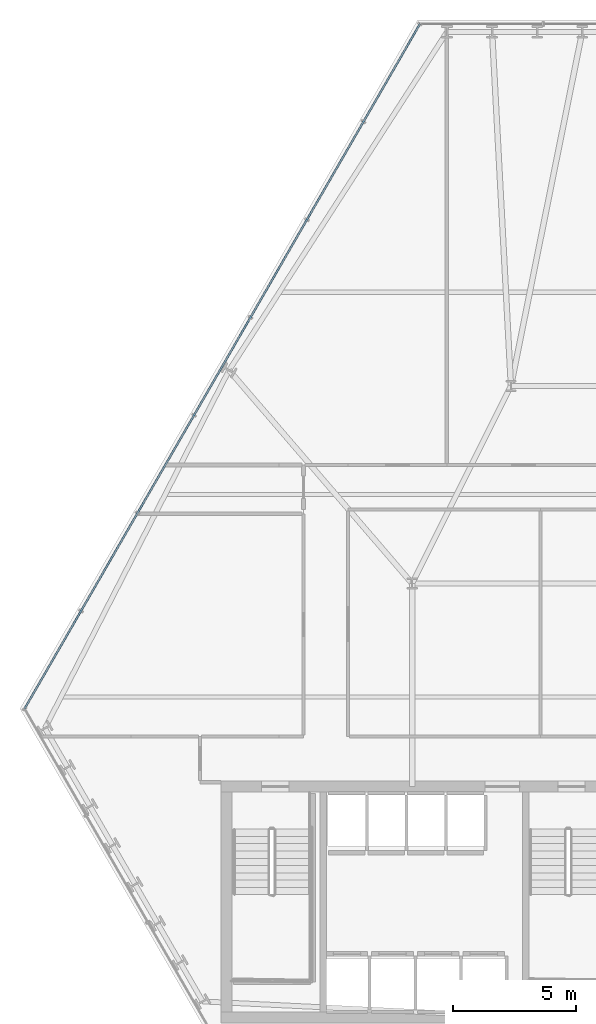
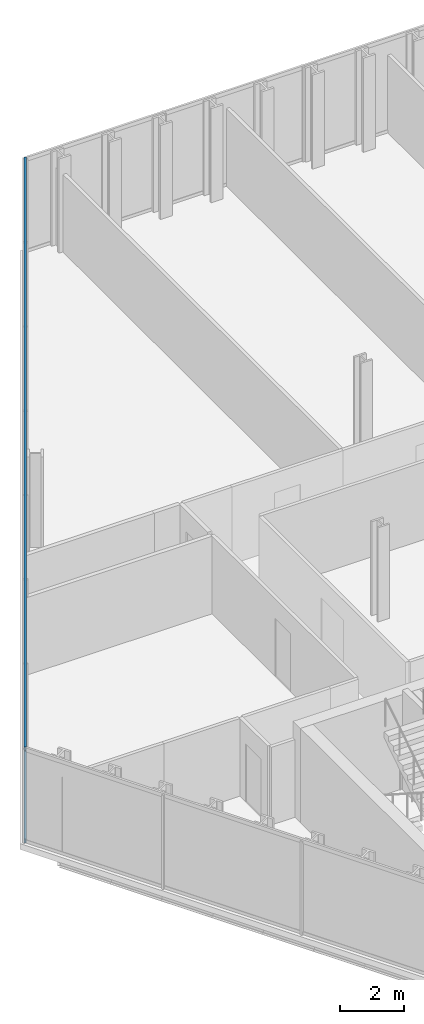
# One storey, part 13 of 32: 2 members, 1 element without a shape of its own.
"""IFC4 building model written with IfcOpenShell, lengths in metres."""

import ifcopenshell
import ifcopenshell.guid

model = None  # the IFC model being written
_history = None  # IfcOwnerHistory: only IFC2X3 demands one
_inside = {}  # id of a spatial element -> (the spatial element, [elements in it])
_under = {}  # id of a project, library or spatial element -> (it, [spatial elements below it])
_declared = {}  # id of a project -> (the project, [libraries it declares])
_typed = {}  # id of a type object -> (the type object, [elements of that type])
_made_of = {}  # id of a material, layer set ... -> (it, [elements and type objects made of it])


def new_model(schema):
    """Start an empty IFC model of exactly this schema.

    Asked for "IFC4X3", IfcOpenShell would pick the latest addendum, in which some entities
    have other attributes; the version numbers below select the first issue.
    IFC2X3 requires an IfcOwnerHistory on every rooted entity: one is made here for all.
    """
    global model, _history
    if schema == "IFC4X3":
        model = ifcopenshell.file(schema_version=(4, 3, 0, 0))
    else:
        model = ifcopenshell.file(schema=schema)
    _inside.clear()
    _under.clear()
    _declared.clear()
    _typed.clear()
    _made_of.clear()
    _history = None
    if model.schema == "IFC2X3":
        org = make("IfcOrganization", Name="unknown")
        user = make(
            "IfcPersonAndOrganization",
            ThePerson=make("IfcPerson", FamilyName="unknown"),
            TheOrganization=org,
        )
        app = make(
            "IfcApplication",
            ApplicationDeveloper=org,
            Version="unknown",
            ApplicationFullName="unknown",
            ApplicationIdentifier="unknown",
        )
        _history = make(
            "IfcOwnerHistory",
            OwningUser=user,
            OwningApplication=app,
            ChangeAction="ADDED",
            CreationDate=0,
        )
    return model


def make(cls, **values):
    """One entity of the class cls with the attributes given. An attribute that is None is left unset."""
    return model.create_entity(
        cls, **{name: value for name, value in values.items() if value is not None}
    )


def rooted(cls, **values):
    """An entity with a GlobalId (a new one), such as an element, a storey or a relation."""
    return make(cls, GlobalId=ifcopenshell.guid.new(), OwnerHistory=_history, **values)


def si_unit(unit_type, name, prefix=None):
    """IfcSIUnit, for example si_unit("LENGTHUNIT", "METRE", prefix="MILLI")."""
    return make("IfcSIUnit", UnitType=unit_type, Prefix=prefix, Name=name)


def assignment(units):
    """IfcUnitAssignment: the units of a project."""
    return None if units is None else make("IfcUnitAssignment", Units=units)


def point(xyz):
    """IfcCartesianPoint."""
    return None if xyz is None else make("IfcCartesianPoint", Coordinates=xyz)


def direction(xyz):
    """IfcDirection."""
    return None if xyz is None else make("IfcDirection", DirectionRatios=xyz)


def frame(location, z_axis=None, x_axis=None):
    """IfcAxis2Placement3D, a coordinate frame: its origin and axes. An axis left out is left unset."""
    return make(
        "IfcAxis2Placement3D",
        Location=point(location),
        Axis=direction(z_axis),
        RefDirection=direction(x_axis),
    )


def frame_2d(location, x_axis=None):
    """IfcAxis2Placement2D, a coordinate frame in the plane: its origin and x axis."""
    return make(
        "IfcAxis2Placement2D", Location=point(location), RefDirection=direction(x_axis)
    )


def origin():
    """The frame at (0, 0, 0) with its axes left unset."""
    return frame((0.0, 0.0, 0.0))


def origin_2d():
    """The frame at (0, 0) in the plane with its x axis left unset."""
    return frame_2d((0.0, 0.0))


def place(relative_to, where):
    """IfcLocalPlacement: puts the frame where relative to a parent placement (None: the world)."""
    return make(
        "IfcLocalPlacement", PlacementRelTo=relative_to, RelativePlacement=where
    )


def context(
    kind, dimensions, precision=None, world=None, true_north=None, identifier=None
):
    """IfcGeometricRepresentationContext, for example the 3D "Model" context."""
    return make(
        "IfcGeometricRepresentationContext",
        ContextIdentifier=identifier,
        ContextType=kind,
        CoordinateSpaceDimension=dimensions,
        Precision=precision,
        WorldCoordinateSystem=world,
        TrueNorth=true_north,
    )


def subcontext(parent, identifier, kind, view, scale=None):
    """IfcGeometricRepresentationSubContext, for example "Body" below "Model"."""
    return make(
        "IfcGeometricRepresentationSubContext",
        ContextIdentifier=identifier,
        ContextType=kind,
        ParentContext=parent,
        TargetScale=scale,
        TargetView=view,
    )


def project(units=None, contexts=None):
    """IfcProject with its units and contexts."""
    return rooted(
        "IfcProject",
        Name="project",
        RepresentationContexts=contexts,
        UnitsInContext=assignment(units),
    )


def spatial(cls, under=None, at=None, **own):
    """A site, building, storey or space (cls), placed at a placement, below another one or the project."""
    s = rooted(cls, ObjectPlacement=at, **own)
    if under is not None:
        _under.setdefault(under.id(), (under, []))[1].append(s)
    return s


def profile(cls, at=None, kind="AREA", **sizes):
    """A parametric profile (cls). Its sizes go by their IFC names, for example OverallWidth=200.0."""
    return make(cls, ProfileType=kind, Position=at, **sizes)


def hollow_rectangle(**sizes):
    """IfcRectangleHollowProfileDef."""
    return profile("IfcRectangleHollowProfileDef", **sizes)


def extrude(swept, where, along, depth):
    """IfcExtrudedAreaSolid: the profile swept, set in the frame where, extruded along a direction by depth."""
    return make(
        "IfcExtrudedAreaSolid",
        SweptArea=swept,
        Position=where,
        ExtrudedDirection=direction(along),
        Depth=depth,
    )


def shape(context_of_items, identifier, shape_type, items):
    """IfcShapeRepresentation: the items that make up one representation, for example the "Body"."""
    return make(
        "IfcShapeRepresentation",
        ContextOfItems=context_of_items,
        RepresentationIdentifier=identifier,
        RepresentationType=shape_type,
        Items=items,
    )


def material(Name=None, Category=None):
    """IfcMaterial."""
    return make("IfcMaterial", Name=Name, Category=Category)


def layer(
    of_material, thickness, ventilated=None, Name=None, Category=None, Priority=None
):
    """IfcMaterialLayer: one layer of a wall or slab, of a material (None: an air gap)."""
    return make(
        "IfcMaterialLayer",
        Material=of_material,
        LayerThickness=thickness,
        IsVentilated=ventilated,
        Name=Name,
        Category=Category,
        Priority=Priority,
    )


def layer_set(layers, Name=None):
    """IfcMaterialLayerSet."""
    return make("IfcMaterialLayerSet", MaterialLayers=layers, LayerSetName=Name)


def material_profile(
    of_material, cross_section, Name=None, Category=None, Priority=None
):
    """IfcMaterialProfile: a cross section and its material."""
    return make(
        "IfcMaterialProfile",
        Name=Name,
        Material=of_material,
        Profile=cross_section,
        Priority=Priority,
        Category=Category,
    )


def profile_set(profiles, Name=None, composite=None):
    """IfcMaterialProfileSet."""
    return make(
        "IfcMaterialProfileSet",
        Name=Name,
        MaterialProfiles=profiles,
        CompositeProfile=composite,
    )


def made_of(thing, what):
    """Note that an element or type object is made of a material, layer set ...; save() writes the relation."""
    if what is not None:
        _made_of.setdefault(what.id(), (what, []))[1].append(thing)
    return thing


def type_object(cls, material=None, **own):
    """A type object (cls), such as IfcWallType, which elements share."""
    return made_of(rooted(cls, **own), material)


def element(
    cls,
    number,
    at=None,
    inside=None,
    cuts=None,
    type_object=None,
    material=None,
    context=None,
    identifier="Body",
    shape_type=None,
    held_by="IfcProductDefinitionShape",
    body=None,
    shapes=None,
    **own,
):
    """One element of the class cls, such as IfcWall. Its Tag is "e" and its number.

    at: its placement. inside: the storey or other place that contains it. cuts: it is an
    opening in that element (IfcRelVoidsElement). A single representation is given by context,
    identifier, shape_type and body (its items); several are given by shapes. held_by: the class
    of the entity that holds the representations. save() writes the other relations.
    """
    e = rooted(cls, Tag="e%d" % number, ObjectPlacement=at, **own)
    if body is not None:
        shapes = [shape(context, identifier, shape_type, body)]
    if shapes is not None:
        e.Representation = make(held_by, Representations=shapes)
    if inside is not None:
        _inside.setdefault(inside.id(), (inside, []))[1].append(e)
    if cuts is not None:
        rooted(
            "IfcRelVoidsElement", RelatingBuildingElement=cuts, RelatedOpeningElement=e
        )
    if type_object is not None:
        _typed.setdefault(type_object.id(), (type_object, []))[1].append(e)
    return made_of(e, material)


def aggregate(whole, parts):
    """IfcRelAggregates: a whole, such as a stair, and the parts it consists of."""
    return rooted("IfcRelAggregates", RelatingObject=whole, RelatedObjects=parts)


def save(model, path):
    """Write the relations noted so far, then the file.

    IfcRelAggregates (storeys below a building ...), IfcRelContainedInSpatialStructure (elements
    in a storey), IfcRelDefinesByType, IfcRelAssociatesMaterial and IfcRelDeclares: one each for
    every whole, place, type object, material and project.
    """
    for whole, parts in _under.values():
        aggregate(whole, parts)
    for where, things in _inside.values():
        rooted(
            "IfcRelContainedInSpatialStructure",
            RelatedElements=things,
            RelatingStructure=where,
        )
    for kind, things in _typed.values():
        rooted("IfcRelDefinesByType", RelatedObjects=things, RelatingType=kind)
    for what, things in _made_of.values():
        rooted("IfcRelAssociatesMaterial", RelatedObjects=things, RelatingMaterial=what)
    for by, libraries in _declared.values():
        rooted("IfcRelDeclares", RelatingContext=by, RelatedDefinitions=libraries)
    model.write(path)


model = new_model("IFC4")

# Units and contexts
model_context = context("Model", 3, precision=1e-05, world=origin(), true_north=direction((0.0, 1.0)))
body_context = subcontext(model_context, "Body", "Model", "MODEL_VIEW")
ifc_project = project(units=[si_unit("LENGTHUNIT", "METRE"), si_unit("AREAUNIT", "SQUARE_METRE"), si_unit("VOLUMEUNIT", "CUBIC_METRE"), si_unit("PLANEANGLEUNIT", "RADIAN"), si_unit("MASSUNIT", "GRAM", prefix="KILO")], contexts=[model_context])

# Site, building, storey
site_placement = place(None, origin())
site = spatial("IfcSite", under=ifc_project, at=site_placement, CompositionType="ELEMENT")
building_placement = place(site_placement, origin())
building = spatial("IfcBuilding", under=site, at=building_placement, Name="Ndaravel Arena Tower", CompositionType="ELEMENT")
storey_placement = place(building_placement, frame((0.0, 0.0, 74.0)))
storey = spatial("IfcBuildingStorey", under=building, at=storey_placement, Name="L16", CompositionType="ELEMENT", Elevation=74.0)

# Curtain wall, members
ifc_material_1 = material(Name="Aluminium", Category="aluminium")
ifc_layer = layer(ifc_material_1, 0.179931640625)
ifc_layer_set = layer_set([ifc_layer], Name="Aluminium")
curtain_wall_type = type_object("IfcCurtainWallType", Name="CW-SYS-03", PredefinedType="NOTDEFINED", material=ifc_layer_set)
curtain_wall_placement = place(storey_placement, origin())
curtain_wall = element("IfcCurtainWall", 1, at=curtain_wall_placement, inside=storey, type_object=curtain_wall_type, Name="L16 Faceted Crystal Curtain Wall CW-L16-E05", PredefinedType="NOTDEFINED")
ifc_material_2 = material(Name="Aluminium", Category="aluminium")
ifc_material_profile = material_profile(ifc_material_2, hollow_rectangle(XDim=0.074951171875, YDim=0.14990234375, WallThickness=0.00390625, at=origin_2d()), Name="CW TRANSOM 75x150x4")
ifc_profile_set = profile_set([ifc_material_profile], Name="Aluminium")
member_type = type_object("IfcMemberType", Name="MEM-CW-TRN150", PredefinedType="USERDEFINED", material=ifc_profile_set)
member_1_placement = place(storey_placement, frame((34.513427734375, 45.865478515625, 0.0400390625), z_axis=(-0.500004412291, -0.866022856332, 0.0), x_axis=(0.866022856332, -0.500004412291, 0.0)))
member_1 = element("IfcMember", 2, at=member_1_placement, type_object=member_type, Name="CW-L16-E05 Transom 01", ObjectType="TRANSOM", PredefinedType="USERDEFINED", context=body_context, shape_type="SweptSolid", body=[
    extrude(hollow_rectangle(XDim=0.074951171875, YDim=0.14990234375, WallThickness=0.00390625, at=origin_2d()), origin(), (0.0, 0.0, 1.0), 32.029541015625),
])
member_2_placement = place(storey_placement, frame((34.513427734375, 45.865478515625, 3.5400390625), z_axis=(-0.500004412291, -0.866022856332, 0.0), x_axis=(0.866022856332, -0.500004412291, 0.0)))
member_2 = element("IfcMember", 3, at=member_2_placement, type_object=member_type, Name="CW-L16-E05 Transom 02", ObjectType="TRANSOM", PredefinedType="USERDEFINED", context=body_context, shape_type="SweptSolid", body=[
    extrude(hollow_rectangle(XDim=0.074951171875, YDim=0.14990234375, WallThickness=0.00390625, at=origin_2d()), origin(), (0.0, 0.0, 1.0), 32.029541015625),
])
aggregate(curtain_wall, [member_1, member_2])

save(model, "model.ifc")
